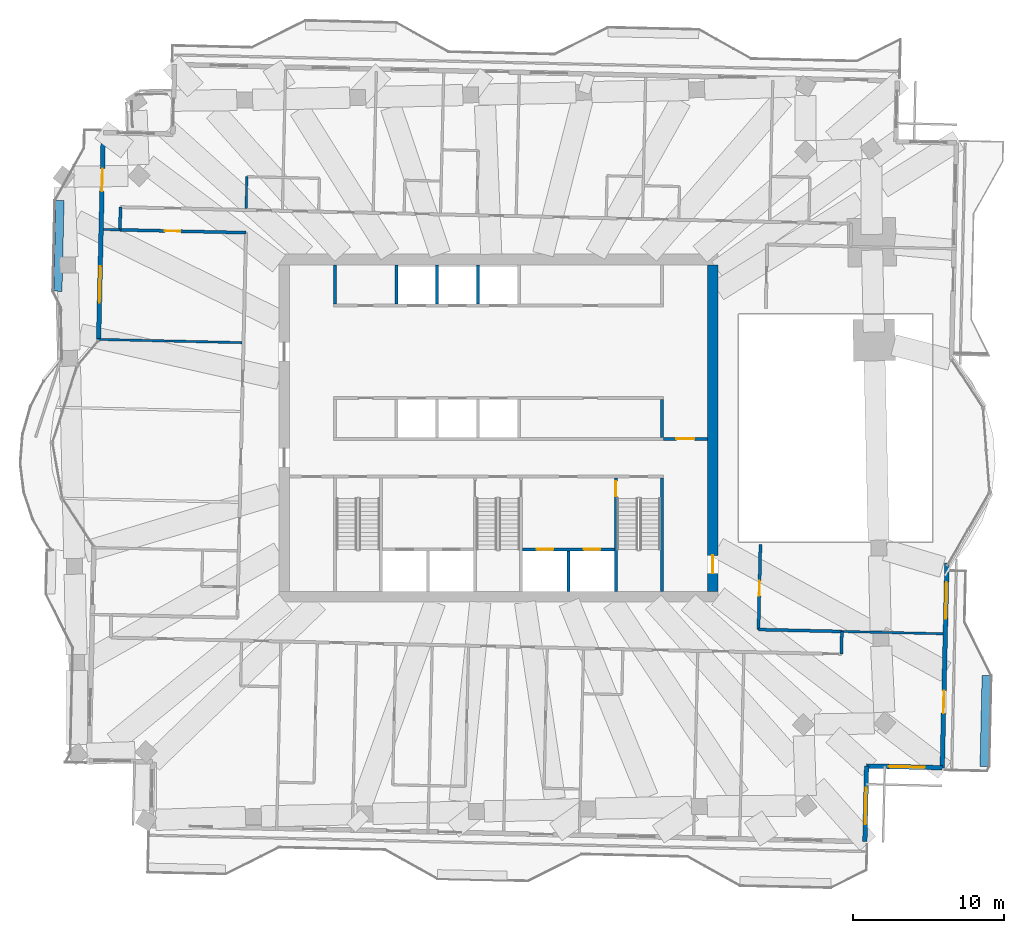
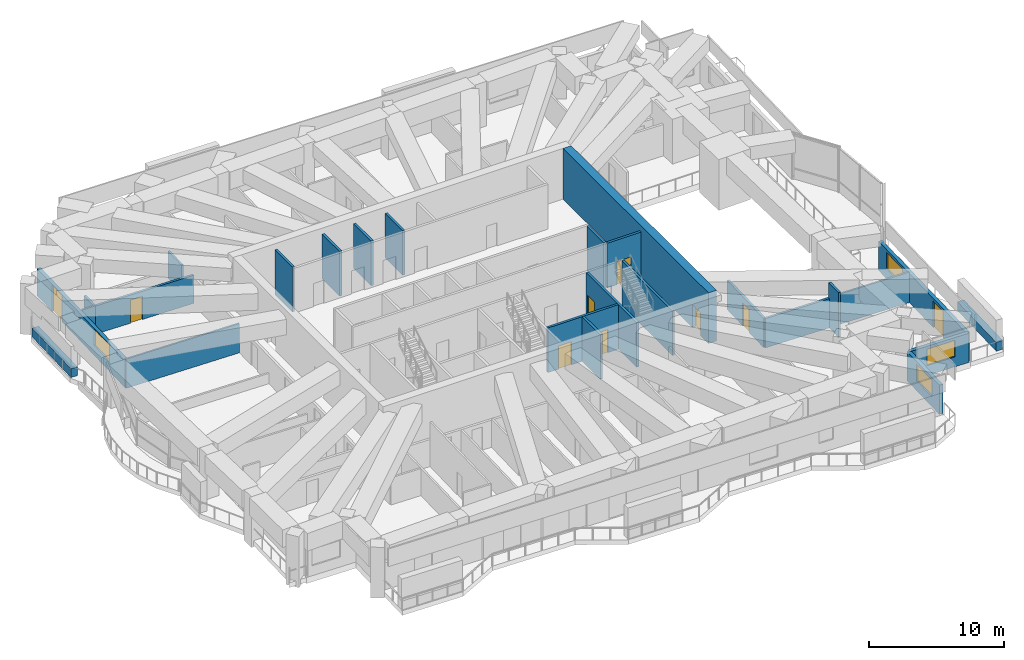
# One storey, part 12 of 20: 26 walls, 9 doors, 4 windows, 13 openings.
"""IFC4 building model written with IfcOpenShell, lengths in metres."""

from ifc_helpers import new_model, si_unit, direction, frame, frame_2d, origin, place, context, subcontext, project, spatial, rectangle, extrude, material, layer, layer_set, type_object, element, fill, save


model = new_model("IFC4")

# Units and contexts
model_context = context("Model", 3, precision=1e-05, world=origin(), true_north=direction((0.0, 1.0)))
body_context = subcontext(model_context, "Body", "Model", "MODEL_VIEW")
ifc_project = project(units=[si_unit("LENGTHUNIT", "METRE"), si_unit("AREAUNIT", "SQUARE_METRE"), si_unit("VOLUMEUNIT", "CUBIC_METRE"), si_unit("PLANEANGLEUNIT", "RADIAN"), si_unit("MASSUNIT", "GRAM", prefix="KILO")], contexts=[model_context])

# Site, building, storey
site_placement = place(None, origin())
site = spatial("IfcSite", under=ifc_project, at=site_placement, CompositionType="ELEMENT")
building_placement = place(site_placement, origin())
building = spatial("IfcBuilding", under=site, at=building_placement, Name="Mangrove Gate Tower", CompositionType="ELEMENT")
storey_placement = place(building_placement, frame((0.0, 0.0, 252.699951171875)))
storey = spatial("IfcBuildingStorey", under=building, at=storey_placement, Name="L64", CompositionType="ELEMENT", Elevation=252.699951171875)

# Wall, opening, door
ifc_material_1 = material(Name="Concrete C32/40", Category="concrete")
ifc_layer_1 = layer(ifc_material_1, 0.199951171875)
ifc_layer_set_1 = layer_set([ifc_layer_1], Name="Core lobby wall 200 C32/40")
wall_type_1 = type_object("IfcWallType", Name="Core lobby wall 200 C32/40", PredefinedType="STANDARD", material=ifc_layer_set_1)
wall_1_placement = place(storey_placement, frame((10.89990234375, -0.699951171875, 0.0), z_axis=(0.0, 0.0, 1.0), x_axis=(1.0, 0.0, 0.0)))
wall_1 = element("IfcWall", 1, at=wall_1_placement, inside=storey, type_object=wall_type_1, Name="WALL-L64-CORE-32", PredefinedType="STANDARD", context=body_context, shape_type="SweptSolid", body=[
    extrude(rectangle(XDim=2.900146484375, YDim=0.199951171875, at=frame_2d((1.4501953125, 0.0))), origin(), (0.0, 0.0, 1.0), 4.050048828125),
])
opening_1_placement = place(wall_1_placement, frame((0.85009765625, 0.0, 0.0)))
opening_1 = element("IfcOpeningElement", 2, at=opening_1_placement, cuts=wall_1, Name="Opening FL12", PredefinedType="OPENING", context=body_context, shape_type="SweptSolid", body=[
    extrude(rectangle(XDim=1.199951171875, YDim=2.10009765625, at=frame_2d((0.60009765625, 1.050048828125))), frame((0.0, 0.10986328125, 0.0), z_axis=(0.0, -1.0, 0.0), x_axis=(1.0, 0.0, 0.0)), (0.0, 0.0, 1.0), 0.219970703125),
])
ifc_material_2 = material(Name="Fire-rated steel door set", Category="steel")
door_type_1 = type_object("IfcDoorType", Name="Lobby door FD60 1200x2100", OperationType="SINGLE_SWING_LEFT", PredefinedType="DOOR", material=ifc_material_2)
door_1_placement = place(opening_1_placement, origin())
door_1 = element("IfcDoor", 3, at=door_1_placement, inside=storey, type_object=door_type_1, Name="Lobby door core corridor E partition", OperationType="SINGLE_SWING_LEFT", OverallHeight=2.10009765625, OverallWidth=1.199951171875, PredefinedType="DOOR", context=body_context, shape_type="SweptSolid", body=[
    extrude(rectangle(XDim=1.199951171875, YDim=2.10009765625, at=frame_2d((0.60009765625, 1.050048828125))), frame((0.0, 0.02490234375, 0.0), z_axis=(0.0, -1.0, 0.0), x_axis=(1.0, 0.0, 0.0)), (0.0, 0.0, 1.0), 0.050048828125),
])
fill(opening_1, door_1)

# Walls
ifc_material_3 = material(Name="Concrete C32/40", Category="concrete")
ifc_layer_2 = layer(ifc_material_3, 0.199951171875)
ifc_layer_set_2 = layer_set([ifc_layer_2], Name="Core room wall 200 C32/40")
wall_type_2 = type_object("IfcWallType", Name="Core room wall 200 C32/40", PredefinedType="STANDARD", material=ifc_layer_set_2)
wall_2_placement = place(storey_placement, frame((10.800048828125, -0.60009765625, 0.0), z_axis=(0.0, 0.0, 1.0), x_axis=(0.0, 1.0, 0.0)))
element("IfcWall", 4, at=wall_2_placement, inside=storey, type_object=wall_type_2, Name="WALL-L64-CORE-24", PredefinedType="STANDARD", context=body_context, shape_type="SweptSolid", body=[
    extrude(rectangle(XDim=2.5, YDim=0.199951171875, at=frame_2d((1.25, 0.0))), origin(), (0.0, 0.0, 1.0), 4.050048828125),
])
wall_3_placement = place(storey_placement, frame((-10.800048828125, 8.199951171875, 0.0), z_axis=(0.0, 0.0, 1.0), x_axis=(0.0, 1.0, 0.0)))
element("IfcWall", 5, at=wall_3_placement, inside=storey, type_object=wall_type_2, Name="WALL-L64-CORE-25", PredefinedType="STANDARD", context=body_context, shape_type="SweptSolid", body=[
    extrude(rectangle(XDim=2.60009765625, YDim=0.199951171875, at=frame_2d((1.300048828125, 0.0))), origin(), (0.0, 0.0, 1.0), 4.050048828125),
])

# Wall, openings, doors
ifc_material_4 = material(Name="Concrete C60/75", Category="concrete")
ifc_layer_3 = layer(ifc_material_4, 0.199951171875)
ifc_layer_set_3 = layer_set([ifc_layer_3], Name="Core shaft wall 200 C60/75")
wall_type_3 = type_object("IfcWallType", Name="Core shaft wall 200 C60/75", PredefinedType="SHEAR", material=ifc_layer_set_3)
wall_4_placement = place(storey_placement, frame((1.60009765625, -8.0, 0.0), z_axis=(0.0, 0.0, 1.0), x_axis=(1.0, 0.0, 0.0)))
wall_4 = element("IfcWall", 6, at=wall_4_placement, inside=storey, type_object=wall_type_3, Name="WALL-L64-CORE-17", PredefinedType="SHEAR", context=body_context, shape_type="SweptSolid", body=[
    extrude(rectangle(XDim=6.0498046875, YDim=0.199951171875, at=frame_2d((3.02490234375, 0.0))), origin(), (0.0, 0.0, 1.0), 4.050048828125),
])
opening_2_placement = place(wall_4_placement, frame((0.91259765625, 0.0, 0.0)))
opening_2 = element("IfcOpeningElement", 7, at=opening_2_placement, cuts=wall_4, Name="Opening LD", PredefinedType="OPENING", context=body_context, shape_type="SweptSolid", body=[
    extrude(rectangle(XDim=1.10009765625, YDim=2.10009765625, at=frame_2d((0.550048828125, 1.050048828125))), frame((0.0, 0.10986328125, 0.0), z_axis=(0.0, -1.0, 0.0), x_axis=(1.0, 0.0, 0.0)), (0.0, 0.0, 1.0), 0.219970703125),
])
opening_3_placement = place(wall_4_placement, frame((4.03759765625, 0.0, 0.0)))
opening_3 = element("IfcOpeningElement", 8, at=opening_3_placement, cuts=wall_4, Name="Opening LD", PredefinedType="OPENING", context=body_context, shape_type="SweptSolid", body=[
    extrude(rectangle(XDim=1.10009765625, YDim=2.10009765625, at=frame_2d((0.550048828125, 1.050048828125))), frame((0.0, 0.10986328125, 0.0), z_axis=(0.0, -1.0, 0.0), x_axis=(1.0, 0.0, 0.0)), (0.0, 0.0, 1.0), 0.219970703125),
])
ifc_material_5 = material(Name="Stainless steel 316", Category="steel")
door_type_2 = type_object("IfcDoorType", Name="Lift landing door 1100x2100", OperationType="SLIDING_TO_LEFT", PredefinedType="DOOR", material=ifc_material_5)
door_2_placement = place(opening_2_placement, origin())
door_2 = element("IfcDoor", 9, at=door_2_placement, inside=storey, type_object=door_type_2, Name="Landing door LD FFL1", OperationType="SLIDING_TO_LEFT", OverallHeight=2.10009765625, OverallWidth=1.10009765625, PredefinedType="DOOR", context=body_context, shape_type="SweptSolid", body=[
    extrude(rectangle(XDim=1.10009765625, YDim=2.10009765625, at=frame_2d((0.550048828125, 1.050048828125))), frame((0.0, 0.02490234375, 0.0), z_axis=(0.0, -1.0, 0.0), x_axis=(1.0, 0.0, 0.0)), (0.0, 0.0, 1.0), 0.050048828125),
])
fill(opening_2, door_2)
door_3_placement = place(opening_3_placement, origin())
door_3 = element("IfcDoor", 10, at=door_3_placement, inside=storey, type_object=door_type_2, Name="Landing door LD FFL2", OperationType="SLIDING_TO_LEFT", OverallHeight=2.10009765625, OverallWidth=1.10009765625, PredefinedType="DOOR", context=body_context, shape_type="SweptSolid", body=[
    extrude(rectangle(XDim=1.10009765625, YDim=2.10009765625, at=frame_2d((0.550048828125, 1.050048828125))), frame((0.0, 0.02490234375, 0.0), z_axis=(0.0, -1.0, 0.0), x_axis=(1.0, 0.0, 0.0)), (0.0, 0.0, 1.0), 0.050048828125),
])
fill(opening_3, door_3)

# Walls
wall_5_placement = place(storey_placement, frame((4.625, -10.800048828125, 0.0), z_axis=(0.0, 0.0, 1.0), x_axis=(0.0, 1.0, 0.0)))
element("IfcWall", 11, at=wall_5_placement, inside=storey, type_object=wall_type_3, Name="WALL-L64-CORE-18", PredefinedType="SHEAR", context=body_context, shape_type="SweptSolid", body=[
    extrude(rectangle(XDim=2.699951171875, YDim=0.199951171875, at=frame_2d((1.35009765625, 0.0))), origin(), (0.0, 0.0, 1.0), 4.050048828125),
])
for number, where, z_axis, x_axis, name in (
    (12, (-6.75, 8.199951171875, 0.0), (0.0, 0.0, 1.0), (0.0, 1.0, 0.0), "WALL-L64-CORE-26"),
    (13, (-4.050048828125, 8.199951171875, 0.0), (0.0, 0.0, 1.0), (0.0, 1.0, 0.0), "WALL-L64-CORE-27"),
    (14, (-1.35009765625, 8.199951171875, 0.0), (0.0, 0.0, 1.0), (0.0, 1.0, 0.0), "WALL-L64-CORE-28"),
):
    element("IfcWall", number, at=place(storey_placement, frame(where, z_axis=z_axis, x_axis=x_axis)), inside=storey, type_object=wall_type_3, Name=name, PredefinedType="SHEAR", context=body_context, shape_type="SweptSolid", body=[
        extrude(rectangle(XDim=2.60009765625, YDim=0.199951171875, at=frame_2d((1.300048828125, 0.0))), origin(), (0.0, 0.0, 1.0), 4.050048828125),
    ])

# Wall, opening, door
ifc_material_6 = material(Name="Concrete C60/75", Category="concrete")
ifc_layer_4 = layer(ifc_material_6, 0.199951171875)
ifc_layer_set_4 = layer_set([ifc_layer_4], Name="Core stair wall 200 C60/75")
wall_type_4 = type_object("IfcWallType", Name="Core stair wall 200 C60/75", PredefinedType="SHEAR", material=ifc_layer_set_4)
wall_6_placement = place(storey_placement, frame((7.75, -10.800048828125, 0.0), z_axis=(0.0, 0.0, 1.0), x_axis=(0.0, 1.0, 0.0)))
wall_6 = element("IfcWall", 15, at=wall_6_placement, inside=storey, type_object=wall_type_4, Name="WALL-L64-CORE-13", PredefinedType="SHEAR", context=body_context, shape_type="SweptSolid", body=[
    extrude(rectangle(XDim=7.5, YDim=0.199951171875, at=frame_2d((3.75, 0.0))), origin(), (0.0, 0.0, 1.0), 4.050048828125),
])
opening_4_placement = place(wall_6_placement, frame((6.300048828125, 0.0, 0.0)))
opening_4 = element("IfcOpeningElement", 16, at=opening_4_placement, cuts=wall_6, Name="Opening STD10", PredefinedType="OPENING", context=body_context, shape_type="SweptSolid", body=[
    extrude(rectangle(XDim=1.0, YDim=2.10009765625, at=frame_2d((0.5, 1.050048828125))), frame((0.0, 0.10986328125, 0.0), z_axis=(0.0, -1.0, 0.0), x_axis=(1.0, 0.0, 0.0)), (0.0, 0.0, 1.0), 0.219970703125),
])
ifc_material_7 = material(Name="Fire-rated steel door set", Category="steel")
door_type_3 = type_object("IfcDoorType", Name="Stair door FD60 1000x2100", OperationType="SINGLE_SWING_RIGHT", PredefinedType="DOOR", material=ifc_material_7)
door_4_placement = place(opening_4_placement, origin())
door_4 = element("IfcDoor", 17, at=door_4_placement, inside=storey, type_object=door_type_3, Name="Stair door Stair 3 from fire-fighting lobby", OperationType="SINGLE_SWING_RIGHT", OverallHeight=2.10009765625, OverallWidth=1.0, PredefinedType="DOOR", context=body_context, shape_type="SweptSolid", body=[
    extrude(rectangle(XDim=1.0, YDim=2.10009765625, at=frame_2d((0.5, 1.050048828125))), frame((0.0, 0.02490234375, 0.0), z_axis=(0.0, -1.0, 0.0), x_axis=(1.0, 0.0, 0.0)), (0.0, 0.0, 1.0), 0.050048828125),
])
fill(opening_4, door_4)

# Wall
wall_7_placement = place(storey_placement, frame((10.800048828125, -10.800048828125, 0.0), z_axis=(0.0, 0.0, 1.0), x_axis=(0.0, 1.0, 0.0)))
element("IfcWall", 18, at=wall_7_placement, inside=storey, type_object=wall_type_4, Name="WALL-L64-CORE-14", PredefinedType="SHEAR", context=body_context, shape_type="SweptSolid", body=[
    extrude(rectangle(XDim=7.5, YDim=0.199951171875, at=frame_2d((3.75, 0.0))), origin(), (0.0, 0.0, 1.0), 4.050048828125),
])

# Wall, opening, door
ifc_material_8 = material(Name="Concrete C60/75", Category="concrete")
ifc_layer_5 = layer(ifc_material_8, 0.699951171875)
ifc_layer_set_5 = layer_set([ifc_layer_5], Name="Core wall 700 C60/75")
wall_type_5 = type_object("IfcWallType", Name="Core wall 700 C60/75", PredefinedType="SHEAR", material=ifc_layer_set_5)
wall_8_placement = place(storey_placement, frame((14.14990234375, -10.800048828125, 0.0), z_axis=(0.0, 0.0, 1.0), x_axis=(0.0, 1.0, 0.0)))
wall_8 = element("IfcWall", 19, at=wall_8_placement, inside=storey, type_object=wall_type_5, Name="WALL-L64-CORE-4", PredefinedType="SHEAR", context=body_context, shape_type="SweptSolid", body=[
    extrude(rectangle(XDim=21.60009765625, YDim=0.699951171875, at=frame_2d((10.800048828125, 0.0))), origin(), (0.0, 0.0, 1.0), 4.60009765625),
])
opening_5_placement = place(wall_8_placement, frame((1.199951171875, 0.0, 0.0)))
opening_5 = element("IfcOpeningElement", 20, at=opening_5_placement, cuts=wall_8, Name="Opening CD", PredefinedType="OPENING", context=body_context, shape_type="SweptSolid", body=[
    extrude(rectangle(XDim=1.199951171875, YDim=2.10009765625, at=frame_2d((0.60009765625, 1.050048828125))), frame((0.0, 0.35986328125, 0.0), z_axis=(0.0, -1.0, 0.0), x_axis=(1.0, 0.0, 0.0)), (0.0, 0.0, 1.0), 0.719970703125),
])
ifc_material_9 = material(Name="Fire-rated steel door set", Category="steel")
door_type_4 = type_object("IfcDoorType", Name="Core ring door FD60 1200x2100", OperationType="DOUBLE_DOOR_SINGLE_SWING", PredefinedType="DOOR", material=ifc_material_9)
door_5_placement = place(opening_5_placement, origin())
door_5 = element("IfcDoor", 21, at=door_5_placement, inside=storey, type_object=door_type_4, Name="Core ring door E1", OperationType="DOUBLE_DOOR_SINGLE_SWING", OverallHeight=2.10009765625, OverallWidth=1.199951171875, PredefinedType="DOOR", context=body_context, shape_type="SweptSolid", body=[
    extrude(rectangle(XDim=1.199951171875, YDim=2.10009765625, at=frame_2d((0.60009765625, 1.050048828125))), frame((0.0, 0.02490234375, 0.0), z_axis=(0.0, -1.0, 0.0), x_axis=(1.0, 0.0, 0.0)), (0.0, 0.0, 1.0), 0.050048828125),
])
fill(opening_5, door_5)

# Walls
ifc_material_10 = material(Name="Gypsum board on steel stud, EI 60", Category="steel")
ifc_layer_6 = layer(ifc_material_10, 0.199951171875)
ifc_layer_set_6 = layer_set([ifc_layer_6], Name="Corridor wall EI 60")
wall_type_6 = type_object("IfcWallType", Name="Corridor wall EI 60", PredefinedType="PARTITIONING", material=ifc_layer_set_6)
wall_9_placement = place(storey_placement, frame((22.654052734375, -14.930908203125, 0.0), z_axis=(0.0, 0.0, 1.0), x_axis=(0.022617910375, 0.999744182344, 0.0)))
element("IfcWall", 22, at=wall_9_placement, inside=storey, type_object=wall_type_6, Name="WALL-L64-021", PredefinedType="PARTITIONING", context=body_context, shape_type="SweptSolid", body=[
    extrude(rectangle(XDim=1.50048828125, YDim=0.199951171875, at=frame_2d((0.750244140625, 0.0))), origin(), (0.0, 0.0, 1.0), 4.050048828125),
])
wall_10_placement = place(storey_placement, frame((17.176025390625, -13.305908203125, 0.0), z_axis=(0.0, 0.0, 1.0), x_axis=(0.999742681153, -0.022684168081, 0.0)))
element("IfcWall", 23, at=wall_10_placement, inside=storey, type_object=wall_type_6, Name="WALL-L64-025", PredefinedType="PARTITIONING", context=body_context, shape_type="SweptSolid", body=[
    extrude(rectangle(XDim=5.510498046875, YDim=0.199951171875, at=frame_2d((2.75537109375, 0.0))), origin(), (0.0, 0.0, 1.0), 2.650146484375),
])

# Wall, opening, door
wall_11_placement = place(storey_placement, frame((17.179931640625, -13.305908203125, 0.0), z_axis=(0.0, 0.0, 1.0), x_axis=(0.022584272568, 0.999744942789, 0.0)))
wall_11 = element("IfcWall", 24, at=wall_11_placement, inside=storey, type_object=wall_type_6, Name="WALL-L64-026", PredefinedType="PARTITIONING", context=body_context, shape_type="SweptSolid", body=[
    extrude(rectangle(XDim=5.621337890625, YDim=0.199951171875, at=frame_2d((2.810546875, 0.0))), origin(), (0.0, 0.0, 1.0), 2.650146484375),
])
opening_6_placement = place(wall_11_placement, frame((2.220947265625, 0.0, 0.0)))
opening_6 = element("IfcOpeningElement", 25, at=opening_6_placement, cuts=wall_11, Name="Opening AD", PredefinedType="OPENING", context=body_context, shape_type="SweptSolid", body=[
    extrude(rectangle(XDim=1.0, YDim=2.10009765625, at=frame_2d((0.5, 1.050048828125))), frame((0.0, 0.10986328125, 0.0), z_axis=(0.0, -1.0, 0.0), x_axis=(1.0, 0.0, 0.0)), (0.0, 0.0, 1.0), 0.219970703125),
])
ifc_material_11 = material(Name="Timber door leaf", Category="wood")
door_type_5 = type_object("IfcDoorType", Name="Amenity door 1000", OperationType="SINGLE_SWING_LEFT", PredefinedType="DOOR", material=ifc_material_11)
door_6_placement = place(opening_6_placement, origin())
door_6 = element("IfcDoor", 26, at=door_6_placement, inside=storey, type_object=door_type_5, Name="DOOR-L64-KIT-c4a", OperationType="SINGLE_SWING_LEFT", OverallHeight=2.10009765625, OverallWidth=1.0, PredefinedType="DOOR", context=body_context, shape_type="SweptSolid", body=[
    extrude(rectangle(XDim=1.0, YDim=2.10009765625, at=frame_2d((0.5, 1.050048828125))), frame((0.0, 0.02490234375, 0.0), z_axis=(0.0, -1.0, 0.0), x_axis=(1.0, 0.0, 0.0)), (0.0, 0.0, 1.0), 0.050048828125),
])
fill(opening_6, door_6)

# Wall
wall_12_placement = place(storey_placement, frame((-25.011962890625, 13.10791015625, 0.0), z_axis=(0.0, 0.0, 1.0), x_axis=(0.022632637625, 0.99974384905, 0.0)))
element("IfcWall", 27, at=wall_12_placement, inside=storey, type_object=wall_type_6, Name="WALL-L64-036", PredefinedType="PARTITIONING", context=body_context, shape_type="SweptSolid", body=[
    extrude(rectangle(XDim=1.49951171875, YDim=0.199951171875, at=frame_2d((0.749755859375, 0.0))), origin(), (0.0, 0.0, 1.0), 2.550048828125),
])

# Wall, opening, door
wall_13_placement = place(storey_placement, frame((-25.008056640625, 13.10693359375, 0.0), z_axis=(0.0, 0.0, 1.0), x_axis=(0.999742742467, -0.022681465666, 0.0)))
wall_13 = element("IfcWall", 28, at=wall_13_placement, inside=storey, type_object=wall_type_6, Name="WALL-L64-037", PredefinedType="PARTITIONING", context=body_context, shape_type="SweptSolid", body=[
    extrude(rectangle(XDim=8.331298828125, YDim=0.199951171875, at=frame_2d((4.16552734375, 0.0))), origin(), (0.0, 0.0, 1.0), 2.550048828125),
])
opening_7_placement = place(wall_13_placement, frame((2.966064453125, 0.0, 0.0)))
opening_7 = element("IfcOpeningElement", 29, at=opening_7_placement, cuts=wall_13, Name="Opening AD", PredefinedType="OPENING", context=body_context, shape_type="SweptSolid", body=[
    extrude(rectangle(XDim=1.0, YDim=2.10009765625, at=frame_2d((0.5, 1.050048828125))), frame((0.0, 0.10986328125, 0.0), z_axis=(0.0, -1.0, 0.0), x_axis=(1.0, 0.0, 0.0)), (0.0, 0.0, 1.0), 0.219970703125),
])
door_7_placement = place(opening_7_placement, origin())
door_7 = element("IfcDoor", 30, at=door_7_placement, inside=storey, type_object=door_type_5, Name="DOOR-L64-LNG-c5a", OperationType="SINGLE_SWING_LEFT", OverallHeight=2.10009765625, OverallWidth=1.0, PredefinedType="DOOR", context=body_context, shape_type="SweptSolid", body=[
    extrude(rectangle(XDim=1.0, YDim=2.10009765625, at=frame_2d((0.5, 1.050048828125))), frame((0.0, 0.02490234375, 0.0), z_axis=(0.0, -1.0, 0.0), x_axis=(1.0, 0.0, 0.0)), (0.0, 0.0, 1.0), 0.050048828125),
])
fill(opening_7, door_7)

# Wall, openings, door, window
ifc_material_12 = material(Name="Limestone", Category="masonry")
ifc_layer_7 = layer(ifc_material_12, 0.0400390625, Name="Limestone cladding")
ifc_material_13 = material(Name="Ventilated air gap")
ifc_layer_8 = layer(ifc_material_13, 0.0400390625, Name="Ventilated cavity")
ifc_material_14 = material(Name="Mineral wool insulation")
ifc_layer_9 = layer(ifc_material_14, 0.06005859375, Name="Insulation")
ifc_material_15 = material(Name="Breather membrane")
ifc_layer_10 = layer(ifc_material_15, 0.001953125, Name="Breather membrane")
ifc_material_16 = material(Name="Concrete C20/25 blockwork", Category="masonry")
ifc_layer_11 = layer(ifc_material_16, 0.14990234375, Name="Blockwork backing wall")
ifc_material_17 = material(Name="Gypsum plaster")
ifc_layer_12 = layer(ifc_material_17, 0.008056640625, Name="Internal plaster")
ifc_layer_set_7 = layer_set([ifc_layer_7, ifc_layer_8, ifc_layer_9, ifc_layer_10, ifc_layer_11, ifc_layer_12], Name="External wall 300 limestone cladding")
wall_type_7 = type_object("IfcWallType", Name="External wall 300 limestone cladding", PredefinedType="SOLIDWALL", material=ifc_layer_set_7)
wall_14_placement = place(storey_placement, frame((29.322021484375, -22.43408203125, 0.0), z_axis=(0.0, 0.0, 1.0), x_axis=(0.022679191715, 0.999742794054, 0.0)))
wall_14 = element("IfcWall", 31, at=wall_14_placement, inside=storey, type_object=wall_type_7, Name="WALL-L64-E0s1", PredefinedType="SOLIDWALL", context=body_context, shape_type="SweptSolid", body=[
    extrude(rectangle(XDim=13.531494140625, YDim=0.300048828125, at=frame_2d((6.765625, 0.0))), origin(), (0.0, 0.0, 1.0), 2.650146484375),
])
opening_8_placement = place(wall_14_placement, frame((3.60009765625, 0.0, 0.0)))
opening_8 = element("IfcOpeningElement", 32, at=opening_8_placement, cuts=wall_14, Name="Opening BD1", PredefinedType="OPENING", context=body_context, shape_type="SweptSolid", body=[
    extrude(rectangle(XDim=1.5, YDim=2.39990234375, at=frame_2d((0.75, 1.199951171875))), frame((0.0, 0.159912109375, 0.0), z_axis=(0.0, -1.0, 0.0), x_axis=(1.0, 0.0, 0.0)), (0.0, 0.0, 1.0), 0.320068359375),
])
opening_9_placement = place(wall_14_placement, frame((9.862060546875, 0.0, 0.89990234375)))
opening_9 = element("IfcOpeningElement", 33, at=opening_9_placement, cuts=wall_14, Name="Opening W2", PredefinedType="OPENING", context=body_context, shape_type="SweptSolid", body=[
    extrude(rectangle(XDim=2.39990234375, YDim=1.5, at=frame_2d((1.199951171875, 0.75))), frame((0.0, 0.159912109375, 0.0), z_axis=(0.0, -1.0, 0.0), x_axis=(1.0, 0.0, 0.0)), (0.0, 0.0, 1.0), 0.320068359375),
])
ifc_material_18 = material(Name="Aluminium frame with laminated clear glass", Category="aluminium")
door_type_6 = type_object("IfcDoorType", Name="Balcony sliding door 1500x2400", OperationType="SLIDING_TO_LEFT", PredefinedType="DOOR", material=ifc_material_18)
door_8_placement = place(opening_8_placement, origin())
door_8 = element("IfcDoor", 34, at=door_8_placement, inside=storey, type_object=door_type_6, Name="DOOR-L64-E0-1", OperationType="SLIDING_TO_LEFT", OverallHeight=2.39990234375, OverallWidth=1.5, PredefinedType="DOOR", context=body_context, shape_type="SweptSolid", body=[
    extrude(rectangle(XDim=1.5, YDim=2.39990234375, at=frame_2d((0.75, 1.199951171875))), frame((0.0, 0.02490234375, 0.0), z_axis=(0.0, -1.0, 0.0), x_axis=(1.0, 0.0, 0.0)), (0.0, 0.0, 1.0), 0.050048828125),
])
fill(opening_8, door_8)
ifc_material_19 = material(Name="Aluminium frame with double-glazed low-e glass", Category="aluminium")
window_type = type_object("IfcWindowType", Name="Corner room window 2400x1500", PartitioningType="DOUBLE_PANEL_VERTICAL", PredefinedType="WINDOW", material=ifc_material_19)
window_1_placement = place(opening_9_placement, origin())
window_1 = element("IfcWindow", 35, at=window_1_placement, inside=storey, type_object=window_type, Name="WIN-L64-E0-2", OverallHeight=1.5, OverallWidth=2.39990234375, PartitioningType="DOUBLE_PANEL_VERTICAL", PredefinedType="WINDOW", context=body_context, shape_type="SweptSolid", body=[
    extrude(rectangle(XDim=2.39990234375, YDim=1.5, at=frame_2d((1.199951171875, 0.75))), frame((0.0, 0.030029296875, 0.0), z_axis=(0.0, -1.0, 0.0), x_axis=(1.0, 0.0, 0.0)), (0.0, 0.0, 1.0), 0.06005859375),
])
fill(opening_9, window_1)

wall_15_placement = place(storey_placement, frame((-26.113037109375, 19.533935546875, 0.0), z_axis=(0.0, 0.0, 1.0), x_axis=(-0.022654755793, -0.999743348085, 0.0)))
wall_15 = element("IfcWall", 36, at=wall_15_placement, inside=storey, type_object=wall_type_7, Name="WALL-L64-W8", PredefinedType="SOLIDWALL", context=body_context, shape_type="SweptSolid", body=[
    extrude(rectangle(XDim=13.729248046875, YDim=0.300048828125, at=frame_2d((6.86474609375, 0.0))), origin(), (0.0, 0.0, 1.0), 2.449951171875),
])
opening_10_placement = place(wall_15_placement, frame((2.375, 0.0, 0.0)))
opening_10 = element("IfcOpeningElement", 37, at=opening_10_placement, cuts=wall_15, Name="Opening BD1", PredefinedType="OPENING", context=body_context, shape_type="SweptSolid", body=[
    extrude(rectangle(XDim=1.5, YDim=2.39990234375, at=frame_2d((0.75, 1.199951171875))), frame((0.0, 0.159912109375, 0.0), z_axis=(0.0, -1.0, 0.0), x_axis=(1.0, 0.0, 0.0)), (0.0, 0.0, 1.0), 0.320068359375),
])
opening_11_placement = place(wall_15_placement, frame((8.8369140625, 0.0, 0.89990234375)))
opening_11 = element("IfcOpeningElement", 38, at=opening_11_placement, cuts=wall_15, Name="Opening W2", PredefinedType="OPENING", context=body_context, shape_type="SweptSolid", body=[
    extrude(rectangle(XDim=2.39990234375, YDim=1.5, at=frame_2d((1.199951171875, 0.75))), frame((0.0, 0.159912109375, 0.0), z_axis=(0.0, -1.0, 0.0), x_axis=(1.0, 0.0, 0.0)), (0.0, 0.0, 1.0), 0.320068359375),
])
door_9_placement = place(opening_10_placement, origin())
door_9 = element("IfcDoor", 39, at=door_9_placement, inside=storey, type_object=door_type_6, Name="DOOR-L64-W8-1", OperationType="SLIDING_TO_LEFT", OverallHeight=2.39990234375, OverallWidth=1.5, PredefinedType="DOOR", context=body_context, shape_type="SweptSolid", body=[
    extrude(rectangle(XDim=1.5, YDim=2.39990234375, at=frame_2d((0.75, 1.199951171875))), frame((0.0, 0.02490234375, 0.0), z_axis=(0.0, -1.0, 0.0), x_axis=(1.0, 0.0, 0.0)), (0.0, 0.0, 1.0), 0.050048828125),
])
fill(opening_10, door_9)
window_2_placement = place(opening_11_placement, origin())
window_2 = element("IfcWindow", 40, at=window_2_placement, inside=storey, type_object=window_type, Name="WIN-L64-W8-2", OverallHeight=1.5, OverallWidth=2.39990234375, PartitioningType="DOUBLE_PANEL_VERTICAL", PredefinedType="WINDOW", context=body_context, shape_type="SweptSolid", body=[
    extrude(rectangle(XDim=2.39990234375, YDim=1.5, at=frame_2d((1.199951171875, 0.75))), frame((0.0, 0.030029296875, 0.0), z_axis=(0.0, -1.0, 0.0), x_axis=(1.0, 0.0, 0.0)), (0.0, 0.0, 1.0), 0.06005859375),
])
fill(opening_11, window_2)

# Wall, opening, window
wall_16_placement = place(storey_placement, frame((24.208984375, -27.320068359375, 0.0), z_axis=(0.0, 0.0, 1.0), x_axis=(0.022801259434, 0.999740017489, 0.0)))
wall_16 = element("IfcWall", 41, at=wall_16_placement, inside=storey, type_object=wall_type_7, Name="WALL-L64-E14", PredefinedType="SOLIDWALL", context=body_context, shape_type="SweptSolid", body=[
    extrude(rectangle(XDim=5.000244140625, YDim=0.300048828125, at=frame_2d((2.5, 0.0))), origin(), (0.0, 0.0, 1.0), 2.650146484375),
])
opening_12_placement = place(wall_16_placement, frame((1.14990234375, 0.0, 0.89990234375)))
opening_12 = element("IfcOpeningElement", 42, at=opening_12_placement, cuts=wall_16, Name="Opening W2", PredefinedType="OPENING", context=body_context, shape_type="SweptSolid", body=[
    extrude(rectangle(XDim=2.39990234375, YDim=1.5, at=frame_2d((1.199951171875, 0.75))), frame((0.0, 0.159912109375, 0.0), z_axis=(0.0, -1.0, 0.0), x_axis=(1.0, 0.0, 0.0)), (0.0, 0.0, 1.0), 0.320068359375),
])
window_3_placement = place(opening_12_placement, origin())
window_3 = element("IfcWindow", 43, at=window_3_placement, inside=storey, type_object=window_type, Name="WIN-L64-E14-1", OverallHeight=1.5, OverallWidth=2.39990234375, PartitioningType="DOUBLE_PANEL_VERTICAL", PredefinedType="WINDOW", context=body_context, shape_type="SweptSolid", body=[
    extrude(rectangle(XDim=2.39990234375, YDim=1.5, at=frame_2d((1.199951171875, 0.75))), frame((0.0, 0.030029296875, 0.0), z_axis=(0.0, -1.0, 0.0), x_axis=(1.0, 0.0, 0.0)), (0.0, 0.0, 1.0), 0.06005859375),
])
fill(opening_12, window_3)

wall_17_placement = place(storey_placement, frame((24.322998046875, -22.321044921875, 0.0), z_axis=(0.0, 0.0, 1.0), x_axis=(0.999744450377, -0.022606059803, 0.0)))
wall_17 = element("IfcWall", 44, at=wall_17_placement, inside=storey, type_object=wall_type_7, Name="WALL-L64-S15", PredefinedType="SOLIDWALL", context=body_context, shape_type="SweptSolid", body=[
    extrude(rectangle(XDim=5.000244140625, YDim=0.300048828125, at=frame_2d((2.5, 0.0))), origin(), (0.0, 0.0, 1.0), 2.650146484375),
])
opening_13_placement = place(wall_17_placement, frame((1.449951171875, 0.0, 0.89990234375)))
opening_13 = element("IfcOpeningElement", 45, at=opening_13_placement, cuts=wall_17, Name="Opening W2", PredefinedType="OPENING", context=body_context, shape_type="SweptSolid", body=[
    extrude(rectangle(XDim=2.39990234375, YDim=1.5, at=frame_2d((1.199951171875, 0.75))), frame((0.0, 0.159912109375, 0.0), z_axis=(0.0, -1.0, 0.0), x_axis=(1.0, 0.0, 0.0)), (0.0, 0.0, 1.0), 0.320068359375),
])
window_4_placement = place(opening_13_placement, origin())
window_4 = element("IfcWindow", 46, at=window_4_placement, inside=storey, type_object=window_type, Name="WIN-L64-S15-1", OverallHeight=1.5, OverallWidth=2.39990234375, PartitioningType="DOUBLE_PANEL_VERTICAL", PredefinedType="WINDOW", context=body_context, shape_type="SweptSolid", body=[
    extrude(rectangle(XDim=2.39990234375, YDim=1.5, at=frame_2d((1.199951171875, 0.75))), frame((0.0, 0.030029296875, 0.0), z_axis=(0.0, -1.0, 0.0), x_axis=(1.0, 0.0, 0.0)), (0.0, 0.0, 1.0), 0.06005859375),
])
fill(opening_13, window_4)

# Walls
ifc_material_20 = material(Name="Gypsum board on steel stud, EI 60", Category="steel")
ifc_layer_13 = layer(ifc_material_20, 0.14990234375)
ifc_layer_set_8 = layer_set([ifc_layer_13], Name="Party wall 150 EI 60")
wall_type_8 = type_object("IfcWallType", Name="Party wall 150 EI 60", PredefinedType="PARTITIONING", material=ifc_layer_set_8)
wall_18_placement = place(storey_placement, frame((22.68505859375, -13.430908203125, 0.0), z_axis=(0.0, 0.0, 1.0), x_axis=(0.999741496297, -0.022736327378, 0.0)))
element("IfcWall", 47, at=wall_18_placement, inside=storey, type_object=wall_type_8, Name="WALL-L64-027", PredefinedType="PARTITIONING", context=body_context, shape_type="SweptSolid", body=[
    extrude(rectangle(XDim=6.689697265625, YDim=0.14990234375, at=frame_2d((3.3447265625, 0.0))), origin(), (0.0, 0.0, 1.0), 2.75),
])
wall_19_placement = place(storey_placement, frame((-26.572998046875, 5.87109375, 0.0), z_axis=(0.0, 0.0, 1.0), x_axis=(0.999743768709, -0.022636186244, 0.0)))
element("IfcWall", 48, at=wall_19_placement, inside=storey, type_object=wall_type_8, Name="WALL-L64-033", PredefinedType="PARTITIONING", context=body_context, shape_type="SweptSolid", body=[
    extrude(rectangle(XDim=9.63134765625, YDim=0.14990234375, at=frame_2d((4.815673828125, 0.0))), origin(), (0.0, 0.0, 1.0), 2.650146484375),
])
wall_20_placement = place(storey_placement, frame((-26.10791015625, 13.132080078125, 0.0), z_axis=(0.0, 0.0, 1.0), x_axis=(0.999740692912, -0.02277162569, 0.0)))
element("IfcWall", 49, at=wall_20_placement, inside=storey, type_object=wall_type_8, Name="WALL-L64-035", PredefinedType="PARTITIONING", context=body_context, shape_type="SweptSolid", body=[
    extrude(rectangle(XDim=1.104248046875, YDim=0.14990234375, at=frame_2d((0.55224609375, 0.0))), origin(), (0.0, 0.0, 1.0), 2.550048828125),
])
wall_21_placement = place(storey_placement, frame((-16.677978515625, 14.51904296875, 0.0), z_axis=(0.0, 0.0, 1.0), x_axis=(0.022908956429, 0.999737555419, 0.0)))
element("IfcWall", 50, at=wall_21_placement, inside=storey, type_object=wall_type_8, Name="WALL-L64-042", PredefinedType="PARTITIONING", context=body_context, shape_type="SweptSolid", body=[
    extrude(rectangle(XDim=2.099365234375, YDim=0.14990234375, at=frame_2d((1.0498046875, 0.0))), origin(), (0.0, 0.0, 1.0), 2.449951171875),
])
ifc_material_21 = material(Name="Concrete C32/40", Category="concrete")
ifc_layer_14 = layer(ifc_material_21, 0.199951171875, Name="Planter trough wall")
ifc_material_22 = material(Name="Bituminous waterproofing membrane")
ifc_layer_15 = layer(ifc_material_22, 0.0048828125, Name="Waterproofing")
ifc_material_23 = material(Name="Drainage board and gravel")
ifc_layer_16 = layer(ifc_material_23, 0.044921875, Name="Drainage layer")
ifc_material_24 = material(Name="Planting soil")
ifc_layer_17 = layer(ifc_material_24, 0.300048828125, Name="Growing medium")
ifc_layer_set_9 = layer_set([ifc_layer_14, ifc_layer_15, ifc_layer_16, ifc_layer_17], Name="Planter wall 550 C32/40")
wall_type_9 = type_object("IfcWallType", Name="Planter wall 550 C32/40", PredefinedType="USERDEFINED", material=ifc_layer_set_9)
wall_22_placement = place(storey_placement, frame((32.089111328125, -22.346923828125, 0.0), z_axis=(0.0, 0.0, 1.0), x_axis=(0.022666865795, 0.999743073592, 0.0)))
element("IfcWall", 51, at=wall_22_placement, inside=storey, type_object=wall_type_9, Name="PLANTER L64 E0.1", ObjectType="PLANTER", PredefinedType="USERDEFINED", context=body_context, shape_type="SweptSolid", body=[
    extrude(rectangle(XDim=5.999267578125, YDim=0.550048828125, at=frame_2d((2.99951171875, 0.0))), origin(), (0.0, 0.0, 1.0), 0.800048828125),
])
wall_23_placement = place(storey_placement, frame((-29.115966796875, 9.050048828125, 0.0), z_axis=(0.0, 0.0, 1.0), x_axis=(0.022665943652, 0.999743094499, 0.0)))
element("IfcWall", 52, at=wall_23_placement, inside=storey, type_object=wall_type_9, Name="PLANTER L64 W0.1", ObjectType="PLANTER", PredefinedType="USERDEFINED", context=body_context, shape_type="SweptSolid", body=[
    extrude(rectangle(XDim=5.99951171875, YDim=0.550048828125, at=frame_2d((2.999755859375, 0.0))), origin(), (0.0, 0.0, 1.0), 0.800048828125),
])

save(model, "model.ifc")
